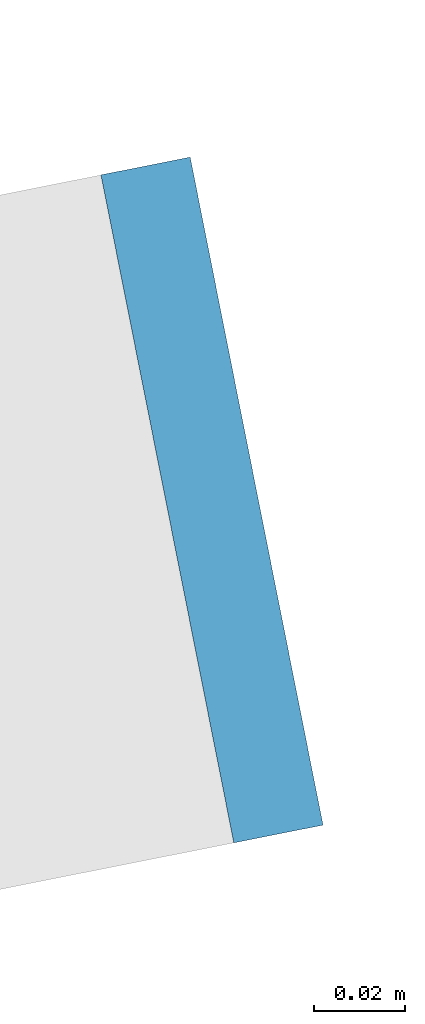
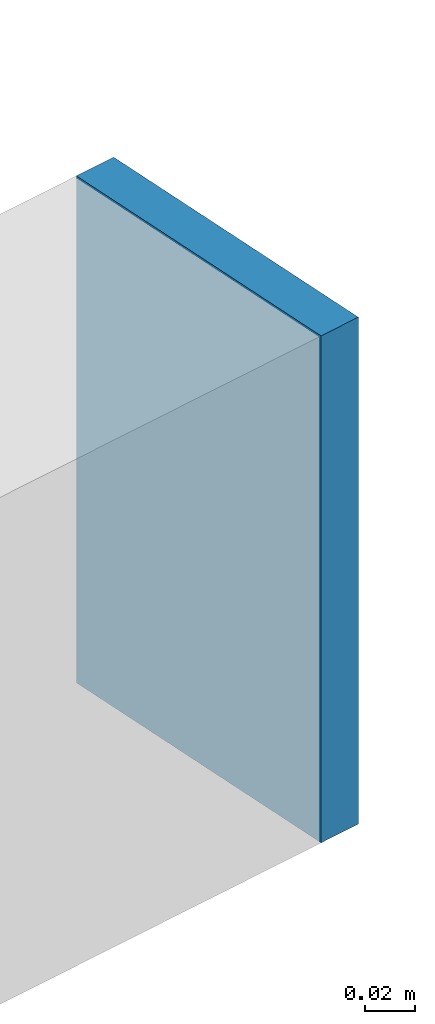
# One storey, part 17 of 23: 1 discrete accessory.
"""IFC4 building model written with IfcOpenShell, lengths in metres."""

from ifc_helpers import new_model, si_unit, direction, frame, origin, origin_2d, place, context, subcontext, project, spatial, rectangle, extrude, material, layer, layer_set, type_object, element, save


model = new_model("IFC4")

# Units and contexts
model_context = context("Model", 3, precision=1e-05, world=origin(), true_north=direction((0.0, 1.0)))
body_context = subcontext(model_context, "Body", "Model", "MODEL_VIEW")
ifc_project = project(units=[si_unit("LENGTHUNIT", "METRE"), si_unit("AREAUNIT", "SQUARE_METRE"), si_unit("VOLUMEUNIT", "CUBIC_METRE"), si_unit("PLANEANGLEUNIT", "RADIAN"), si_unit("MASSUNIT", "GRAM", prefix="KILO")], contexts=[model_context])

# Site, building, storey
site_placement = place(None, origin())
site = spatial("IfcSite", under=ifc_project, at=site_placement, CompositionType="ELEMENT")
building_placement = place(site_placement, origin())
building = spatial("IfcBuilding", under=site, at=building_placement, Name="Siwar Civic Tower", CompositionType="ELEMENT")
storey_placement = place(building_placement, frame((0.0, 0.0, 242.199951171875)))
storey = spatial("IfcBuildingStorey", under=building, at=storey_placement, Name="L52", CompositionType="ELEMENT", Elevation=242.199951171875)

# Discrete accessory
ifc_material = material(Name="Steel S355", Category="steel")
ifc_layer = layer(ifc_material, 0.02001953125)
ifc_layer_set = layer_set([ifc_layer], Name="Steel S355")
discrete_accessory_type = type_object("IfcDiscreteAccessoryType", Name="STR-END-CAP", PredefinedType="USERDEFINED", material=ifc_layer_set)
discrete_accessory_placement = place(storey_placement, frame((28.8251953125, 18.118408203125, -0.39990234375), z_axis=(0.0, 0.0, 1.0), x_axis=(0.980785280468, 0.195090321691, 0.0)))
element("IfcDiscreteAccessory", 1, at=discrete_accessory_placement, inside=storey, type_object=discrete_accessory_type, Name="End cap plate Balcony cantilever beam NE 1", ObjectType="END CAP PLATE", PredefinedType="USERDEFINED", context=body_context, shape_type="SweptSolid", body=[
    extrude(rectangle(XDim=0.02001953125, YDim=0.14990234375, at=origin_2d()), origin(), (0.0, 0.0, 1.0), 0.25),
])

save(model, "model.ifc")
